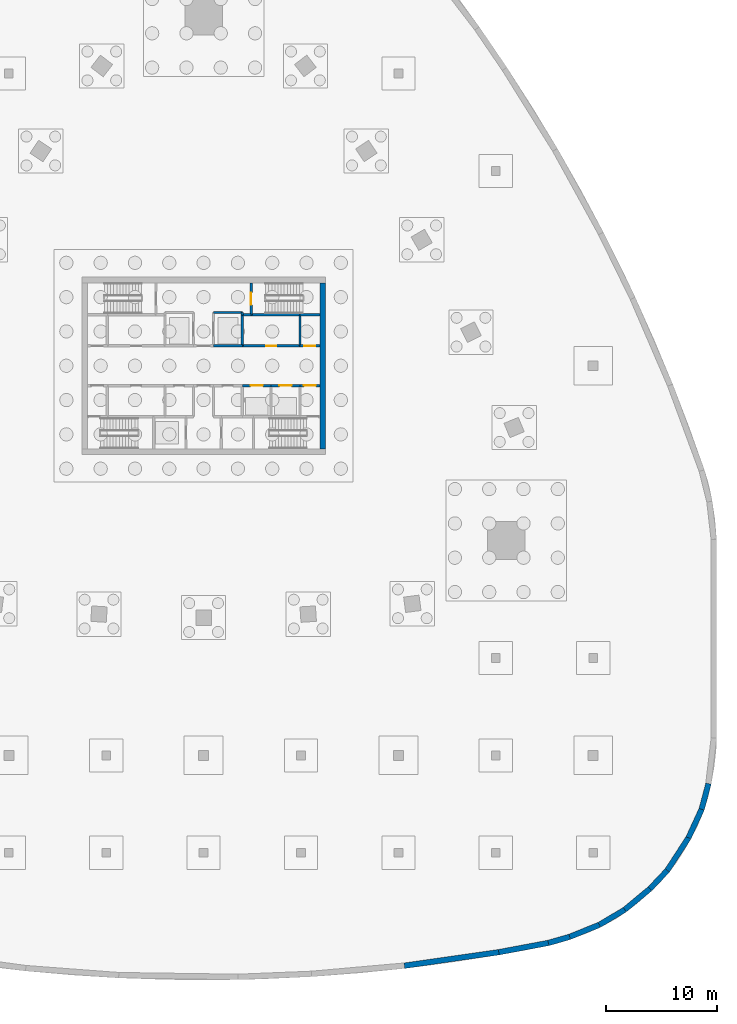
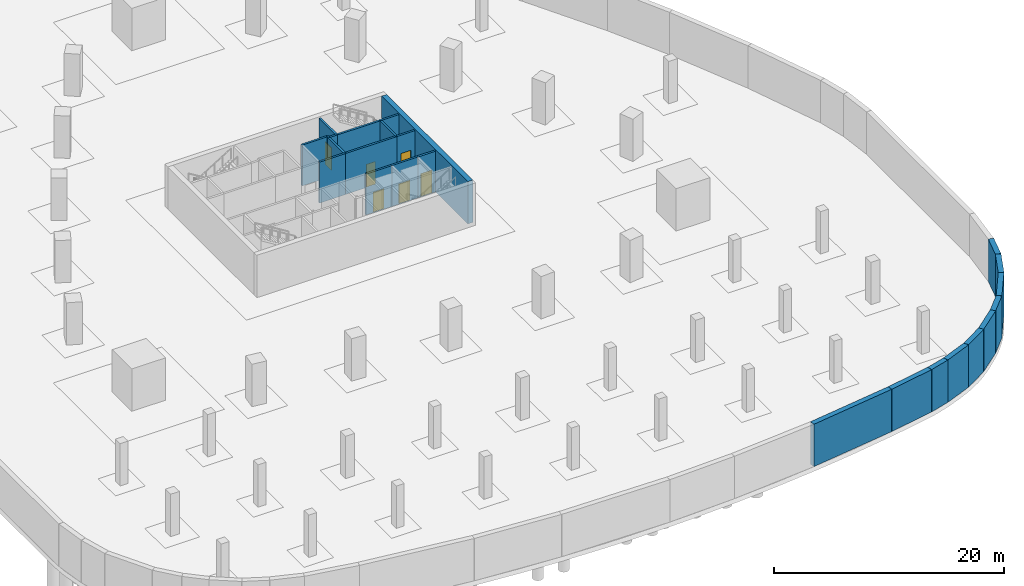
# One storey, part 5 of 8: 25 walls, 6 doors, 6 openings.
"""IFC4 building model written with IfcOpenShell, lengths in metres."""

from ifc_helpers import new_model, si_unit, direction, frame, frame_2d, origin, place, context, subcontext, project, spatial, rectangle, extrude, material, layer, layer_set, type_object, element, fill, save


model = new_model("IFC4")

# Units and contexts
model_context = context("Model", 3, precision=1e-05, world=origin(), true_north=direction((0.0, 1.0)))
body_context = subcontext(model_context, "Body", "Model", "MODEL_VIEW")
ifc_project = project(units=[si_unit("LENGTHUNIT", "METRE"), si_unit("AREAUNIT", "SQUARE_METRE"), si_unit("VOLUMEUNIT", "CUBIC_METRE"), si_unit("PLANEANGLEUNIT", "RADIAN"), si_unit("MASSUNIT", "GRAM", prefix="KILO")], contexts=[model_context])

# Site, building, storey
site_placement = place(None, origin())
site = spatial("IfcSite", under=ifc_project, at=site_placement, CompositionType="ELEMENT")
building_placement = place(site_placement, origin())
building = spatial("IfcBuilding", under=site, at=building_placement, Name="Sierra Prisma Convention Tower", CompositionType="ELEMENT")
storey_placement = place(building_placement, frame((0.0, 0.0, -9.0)))
storey = spatial("IfcBuildingStorey", under=building, at=storey_placement, Name="B2", CompositionType="ELEMENT", Elevation=-9.0)

# Walls
ifc_material_1 = material(Name="Concrete C30/37", Category="concrete")
ifc_layer_1 = layer(ifc_material_1, 0.199951171875)
ifc_layer_set_1 = layer_set([ifc_layer_1], Name="Core wall RC 200 C30/37")
wall_type_1 = type_object("IfcWallType", Name="Core wall RC 200 C30/37", PredefinedType="SOLIDWALL", material=ifc_layer_set_1)
wall_1_placement = place(storey_placement, frame((3.5, 1.800048828125, 0.0), z_axis=(0.0, 0.0, 1.0), x_axis=(-1.0, 0.0, 0.0)))
element("IfcWall", 1, at=wall_1_placement, inside=storey, type_object=wall_type_1, Name="Core wall B2 31", PredefinedType="SOLIDWALL", context=body_context, shape_type="SweptSolid", body=[
    extrude(rectangle(XDim=2.60009765625, YDim=0.199951171875, at=frame_2d((1.300048828125, 0.0))), origin(), (0.0, 0.0, 1.0), 4.35009765625),
])
wall_2_placement = place(storey_placement, frame((3.5, 4.60009765625, 0.0), z_axis=(0.0, 0.0, 1.0), x_axis=(0.0, 1.0, 0.0)))
element("IfcWall", 2, at=wall_2_placement, inside=storey, type_object=wall_type_1, Name="Core wall B2 32", PredefinedType="SOLIDWALL", context=body_context, shape_type="SweptSolid", body=[
    extrude(rectangle(XDim=0.199951171875, YDim=0.199951171875, at=frame_2d((0.10009765625, 0.0))), origin(), (0.0, 0.0, 1.0), 4.35009765625),
])
wall_3_placement = place(storey_placement, frame((3.5, 4.800048828125, 0.0), z_axis=(0.0, 0.0, 1.0), x_axis=(-1.0, 0.0, 0.0)))
element("IfcWall", 3, at=wall_3_placement, inside=storey, type_object=wall_type_1, Name="Core wall B2 33", PredefinedType="SOLIDWALL", context=body_context, shape_type="SweptSolid", body=[
    extrude(rectangle(XDim=2.60009765625, YDim=0.199951171875, at=frame_2d((1.300048828125, 0.0))), origin(), (0.0, 0.0, 1.0), 4.35009765625),
])

# Wall, opening, door
wall_4_placement = place(storey_placement, frame((3.5, -1.800048828125, 0.0), z_axis=(0.0, 0.0, 1.0), x_axis=(1.0, 0.0, 0.0)))
wall_4 = element("IfcWall", 4, at=wall_4_placement, inside=storey, type_object=wall_type_1, Name="Core wall B2 39", PredefinedType="SOLIDWALL", context=body_context, shape_type="SweptSolid", body=[
    extrude(rectangle(XDim=2.60009765625, YDim=0.199951171875, at=frame_2d((1.300048828125, 0.0))), origin(), (0.0, 0.0, 1.0), 4.35009765625),
])
opening_1_placement = place(wall_4_placement, frame((0.75, 0.0, 0.0)))
opening_1 = element("IfcOpeningElement", 5, at=opening_1_placement, cuts=wall_4, Name="Opening B2-D001", PredefinedType="OPENING", context=body_context, shape_type="SweptSolid", body=[
    extrude(rectangle(XDim=1.10009765625, YDim=2.10009765625, at=frame_2d((0.550048828125, 1.050048828125))), frame((0.0, 0.10009765625, 0.0), z_axis=(0.0, -1.0, 0.0), x_axis=(1.0, 0.0, 0.0)), (0.0, 0.0, 1.0), 0.199951171875),
])
ifc_material_2 = material(Name="Steel fire door leaf", Category="steel")
door_type_1 = type_object("IfcDoorType", Name="Door 1100x2100 EI 90 sliding lift landing", OperationType="SLIDING_TO_LEFT", PredefinedType="DOOR", material=ifc_material_2)
door_1_placement = place(opening_1_placement, origin())
door_1 = element("IfcDoor", 6, at=door_1_placement, inside=storey, type_object=door_type_1, Name="Door B2 1", OperationType="SLIDING_TO_LEFT", OverallHeight=2.10009765625, OverallWidth=1.10009765625, PredefinedType="DOOR", context=body_context, shape_type="SweptSolid", body=[
    extrude(rectangle(XDim=1.10009765625, YDim=2.10009765625, at=frame_2d((0.550048828125, 1.050048828125))), frame((0.0, 0.02490234375, 0.0), z_axis=(0.0, -1.0, 0.0), x_axis=(1.0, 0.0, 0.0)), (0.0, 0.0, 1.0), 0.050048828125),
])
fill(opening_1, door_1)

wall_5_placement = place(storey_placement, frame((3.5, 1.800048828125, 0.0), z_axis=(0.0, 0.0, 1.0), x_axis=(1.0, 0.0, 0.0)))
wall_5 = element("IfcWall", 7, at=wall_5_placement, inside=storey, type_object=wall_type_1, Name="Core wall B2 40", PredefinedType="SOLIDWALL", context=body_context, shape_type="SweptSolid", body=[
    extrude(rectangle(XDim=5.199951171875, YDim=0.199951171875, at=frame_2d((2.60009765625, 0.0))), origin(), (0.0, 0.0, 1.0), 4.35009765625),
])
opening_2_placement = place(wall_5_placement, frame((2.14990234375, 0.0, 0.0)))
opening_2 = element("IfcOpeningElement", 8, at=opening_2_placement, cuts=wall_5, Name="Opening B2-D016", PredefinedType="OPENING", context=body_context, shape_type="SweptSolid", body=[
    extrude(rectangle(XDim=0.89990234375, YDim=2.39990234375, at=frame_2d((0.449951171875, 1.199951171875))), frame((0.0, 0.10009765625, 0.0), z_axis=(0.0, -1.0, 0.0), x_axis=(1.0, 0.0, 0.0)), (0.0, 0.0, 1.0), 0.199951171875),
])
ifc_material_3 = material(Name="Steel fire door leaf", Category="steel")
door_type_2 = type_object("IfcDoorType", Name="Door 900x2400 FD30S", OperationType="SINGLE_SWING_LEFT", PredefinedType="DOOR", material=ifc_material_3)
door_2_placement = place(opening_2_placement, origin())
door_2 = element("IfcDoor", 9, at=door_2_placement, inside=storey, type_object=door_type_2, Name="Door B2 16", OperationType="SINGLE_SWING_LEFT", OverallHeight=2.39990234375, OverallWidth=0.89990234375, PredefinedType="DOOR", context=body_context, shape_type="SweptSolid", body=[
    extrude(rectangle(XDim=0.89990234375, YDim=2.39990234375, at=frame_2d((0.449951171875, 1.199951171875))), frame((0.0, 0.02490234375, 0.0), z_axis=(0.0, -1.0, 0.0), x_axis=(1.0, 0.0, 0.0)), (0.0, 0.0, 1.0), 0.050048828125),
])
fill(opening_2, door_2)

# Walls
wall_6_placement = place(storey_placement, frame((3.5, 4.60009765625, 0.0), z_axis=(0.0, 0.0, 1.0), x_axis=(0.0, -1.0, 0.0)))
element("IfcWall", 10, at=wall_6_placement, inside=storey, type_object=wall_type_1, Name="Core wall B2 41", PredefinedType="SOLIDWALL", context=body_context, shape_type="SweptSolid", body=[
    extrude(rectangle(XDim=2.800048828125, YDim=0.199951171875, at=frame_2d((1.39990234375, 0.0))), origin(), (0.0, 0.0, 1.0), 4.35009765625),
])
wall_7_placement = place(storey_placement, frame((4.300048828125, 4.60009765625, 0.0), z_axis=(0.0, 0.0, 1.0), x_axis=(-1.0, 0.0, 0.0)))
element("IfcWall", 11, at=wall_7_placement, inside=storey, type_object=wall_type_1, Name="Core wall B2 42", PredefinedType="SOLIDWALL", context=body_context, shape_type="SweptSolid", body=[
    extrude(rectangle(XDim=0.800048828125, YDim=0.199951171875, at=frame_2d((0.39990234375, 0.0))), origin(), (0.0, 0.0, 1.0), 4.35009765625),
])
wall_8_placement = place(storey_placement, frame((8.699951171875, 4.60009765625, 0.0), z_axis=(0.0, 0.0, 1.0), x_axis=(-1.0, 0.0, 0.0)))
element("IfcWall", 12, at=wall_8_placement, inside=storey, type_object=wall_type_1, Name="Core wall B2 43", PredefinedType="SOLIDWALL", context=body_context, shape_type="SweptSolid", body=[
    extrude(rectangle(XDim=4.39990234375, YDim=0.199951171875, at=frame_2d((2.199951171875, 0.0))), origin(), (0.0, 0.0, 1.0), 4.35009765625),
])

# Wall, opening, door
wall_9_placement = place(storey_placement, frame((4.300048828125, 7.5, 0.0), z_axis=(0.0, 0.0, 1.0), x_axis=(0.0, -1.0, 0.0)))
wall_9 = element("IfcWall", 13, at=wall_9_placement, inside=storey, type_object=wall_type_1, Name="Core wall B2 44", PredefinedType="SOLIDWALL", context=body_context, shape_type="SweptSolid", body=[
    extrude(rectangle(XDim=2.89990234375, YDim=0.199951171875, at=frame_2d((1.449951171875, 0.0))), origin(), (0.0, 0.0, 1.0), 4.35009765625),
])
opening_3_placement = place(wall_9_placement, frame((0.89990234375, 0.0, 0.0)))
opening_3 = element("IfcOpeningElement", 14, at=opening_3_placement, cuts=wall_9, Name="Opening B2-D015", PredefinedType="OPENING", context=body_context, shape_type="SweptSolid", body=[
    extrude(rectangle(XDim=1.10009765625, YDim=2.39990234375, at=frame_2d((0.550048828125, 1.199951171875))), frame((0.0, 0.10009765625, 0.0), z_axis=(0.0, -1.0, 0.0), x_axis=(1.0, 0.0, 0.0)), (0.0, 0.0, 1.0), 0.199951171875),
])
ifc_material_4 = material(Name="Steel fire door leaf", Category="steel")
door_type_3 = type_object("IfcDoorType", Name="Door 1100x2400 FD90S", OperationType="SINGLE_SWING_LEFT", PredefinedType="DOOR", material=ifc_material_4)
door_3_placement = place(opening_3_placement, origin())
door_3 = element("IfcDoor", 15, at=door_3_placement, inside=storey, type_object=door_type_3, Name="Door B2 15", OperationType="SINGLE_SWING_RIGHT", OverallHeight=2.39990234375, OverallWidth=1.10009765625, PredefinedType="DOOR", context=body_context, shape_type="SweptSolid", body=[
    extrude(rectangle(XDim=1.10009765625, YDim=2.39990234375, at=frame_2d((0.550048828125, 1.199951171875))), frame((0.0, 0.02490234375, 0.0), z_axis=(0.0, -1.0, 0.0), x_axis=(1.0, 0.0, 0.0)), (0.0, 0.0, 1.0), 0.050048828125),
])
fill(opening_3, door_3)

wall_10_placement = place(storey_placement, frame((6.10009765625, -1.800048828125, 0.0), z_axis=(0.0, 0.0, 1.0), x_axis=(1.0, 0.0, 0.0)))
wall_10 = element("IfcWall", 16, at=wall_10_placement, inside=storey, type_object=wall_type_1, Name="Core wall B2 49", PredefinedType="SOLIDWALL", context=body_context, shape_type="SweptSolid", body=[
    extrude(rectangle(XDim=2.599853515625, YDim=0.199951171875, at=frame_2d((1.2998046875, 0.0))), origin(), (0.0, 0.0, 1.0), 4.35009765625),
])
opening_4_placement = place(wall_10_placement, frame((0.75, 0.0, 0.0)))
opening_4 = element("IfcOpeningElement", 17, at=opening_4_placement, cuts=wall_10, Name="Opening B2-D002", PredefinedType="OPENING", context=body_context, shape_type="SweptSolid", body=[
    extrude(rectangle(XDim=1.10009765625, YDim=2.10009765625, at=frame_2d((0.550048828125, 1.050048828125))), frame((0.0, 0.10009765625, 0.0), z_axis=(0.0, -1.0, 0.0), x_axis=(1.0, 0.0, 0.0)), (0.0, 0.0, 1.0), 0.199951171875),
])
door_4_placement = place(opening_4_placement, origin())
door_4 = element("IfcDoor", 18, at=door_4_placement, inside=storey, type_object=door_type_1, Name="Door B2 2", OperationType="SLIDING_TO_RIGHT", OverallHeight=2.10009765625, OverallWidth=1.10009765625, PredefinedType="DOOR", context=body_context, shape_type="SweptSolid", body=[
    extrude(rectangle(XDim=1.10009765625, YDim=2.10009765625, at=frame_2d((0.550048828125, 1.050048828125))), frame((0.0, 0.02490234375, 0.0), z_axis=(0.0, -1.0, 0.0), x_axis=(1.0, 0.0, 0.0)), (0.0, 0.0, 1.0), 0.050048828125),
])
fill(opening_4, door_4)

wall_11_placement = place(storey_placement, frame((8.699951171875, -1.800048828125, 0.0), z_axis=(0.0, 0.0, 1.0), x_axis=(1.0, 0.0, 0.0)))
wall_11 = element("IfcWall", 19, at=wall_11_placement, inside=storey, type_object=wall_type_1, Name="Core wall B2 52", PredefinedType="SOLIDWALL", context=body_context, shape_type="SweptSolid", body=[
    extrude(rectangle(XDim=1.800048828125, YDim=0.199951171875, at=frame_2d((0.89990234375, 0.0))), origin(), (0.0, 0.0, 1.0), 4.35009765625),
])
opening_5_placement = place(wall_11_placement, frame((0.35009765625, 0.0, 0.0)))
opening_5 = element("IfcOpeningElement", 20, at=opening_5_placement, cuts=wall_11, Name="Opening B2-D007", PredefinedType="OPENING", context=body_context, shape_type="SweptSolid", body=[
    extrude(rectangle(XDim=1.10009765625, YDim=2.39990234375, at=frame_2d((0.550048828125, 1.199951171875))), frame((0.0, 0.10009765625, 0.0), z_axis=(0.0, -1.0, 0.0), x_axis=(1.0, 0.0, 0.0)), (0.0, 0.0, 1.0), 0.199951171875),
])
door_5_placement = place(opening_5_placement, origin())
door_5 = element("IfcDoor", 21, at=door_5_placement, inside=storey, type_object=door_type_3, Name="Door B2 7", OperationType="SINGLE_SWING_LEFT", OverallHeight=2.39990234375, OverallWidth=1.10009765625, PredefinedType="DOOR", context=body_context, shape_type="SweptSolid", body=[
    extrude(rectangle(XDim=1.10009765625, YDim=2.39990234375, at=frame_2d((0.550048828125, 1.199951171875))), frame((0.0, 0.02490234375, 0.0), z_axis=(0.0, -1.0, 0.0), x_axis=(1.0, 0.0, 0.0)), (0.0, 0.0, 1.0), 0.050048828125),
])
fill(opening_5, door_5)

wall_12_placement = place(storey_placement, frame((10.5, 1.800048828125, 0.0), z_axis=(0.0, 0.0, 1.0), x_axis=(-1.0, 0.0, 0.0)))
wall_12 = element("IfcWall", 22, at=wall_12_placement, inside=storey, type_object=wall_type_1, Name="Core wall B2 53", PredefinedType="SOLIDWALL", context=body_context, shape_type="SweptSolid", body=[
    extrude(rectangle(XDim=1.800048828125, YDim=0.199951171875, at=frame_2d((0.89990234375, 0.0))), origin(), (0.0, 0.0, 1.0), 4.35009765625),
])
opening_6_placement = place(wall_12_placement, frame((0.39990234375, 0.0, 0.0)))
opening_6 = element("IfcOpeningElement", 23, at=opening_6_placement, cuts=wall_12, Name="Opening B2-D011", PredefinedType="OPENING", context=body_context, shape_type="SweptSolid", body=[
    extrude(rectangle(XDim=1.0, YDim=2.39990234375, at=frame_2d((0.5, 1.199951171875))), frame((0.0, 0.10009765625, 0.0), z_axis=(0.0, -1.0, 0.0), x_axis=(1.0, 0.0, 0.0)), (0.0, 0.0, 1.0), 0.199951171875),
])
ifc_material_5 = material(Name="Steel fire door leaf", Category="steel")
door_type_4 = type_object("IfcDoorType", Name="Door 1000x2400 FD60S", OperationType="SINGLE_SWING_LEFT", PredefinedType="DOOR", material=ifc_material_5)
door_6_placement = place(opening_6_placement, origin())
door_6 = element("IfcDoor", 24, at=door_6_placement, inside=storey, type_object=door_type_4, Name="Door B2 11", OperationType="SINGLE_SWING_RIGHT", OverallHeight=2.39990234375, OverallWidth=1.0, PredefinedType="DOOR", context=body_context, shape_type="SweptSolid", body=[
    extrude(rectangle(XDim=1.0, YDim=2.39990234375, at=frame_2d((0.5, 1.199951171875))), frame((0.0, 0.02490234375, 0.0), z_axis=(0.0, -1.0, 0.0), x_axis=(1.0, 0.0, 0.0)), (0.0, 0.0, 1.0), 0.050048828125),
])
fill(opening_6, door_6)

# Walls
wall_13_placement = place(storey_placement, frame((8.699951171875, 1.800048828125, 0.0), z_axis=(0.0, 0.0, 1.0), x_axis=(0.0, 1.0, 0.0)))
element("IfcWall", 25, at=wall_13_placement, inside=storey, type_object=wall_type_1, Name="Core wall B2 54", PredefinedType="SOLIDWALL", context=body_context, shape_type="SweptSolid", body=[
    extrude(rectangle(XDim=2.800048828125, YDim=0.199951171875, at=frame_2d((1.39990234375, 0.0))), origin(), (0.0, 0.0, 1.0), 4.35009765625),
])
wall_14_placement = place(storey_placement, frame((10.5, 4.60009765625, 0.0), z_axis=(0.0, 0.0, 1.0), x_axis=(-1.0, 0.0, 0.0)))
element("IfcWall", 26, at=wall_14_placement, inside=storey, type_object=wall_type_1, Name="Core wall B2 55", PredefinedType="SOLIDWALL", context=body_context, shape_type="SweptSolid", body=[
    extrude(rectangle(XDim=1.800048828125, YDim=0.199951171875, at=frame_2d((0.89990234375, 0.0))), origin(), (0.0, 0.0, 1.0), 4.35009765625),
])
ifc_material_6 = material(Name="Concrete C70/85", Category="concrete")
ifc_layer_2 = layer(ifc_material_6, 0.5)
ifc_layer_set_2 = layer_set([ifc_layer_2], Name="Core wall RC 500 C70/85")
wall_type_2 = type_object("IfcWallType", Name="Core wall RC 500 C70/85", PredefinedType="SHEAR", material=ifc_layer_set_2)
wall_15_placement = place(storey_placement, frame((10.75, -7.5, 0.0), z_axis=(0.0, 0.0, 1.0), x_axis=(0.0, 1.0, 0.0)))
element("IfcWall", 27, at=wall_15_placement, inside=storey, type_object=wall_type_2, Name="Core wall E B2", PredefinedType="SHEAR", context=body_context, shape_type="SweptSolid", body=[
    extrude(rectangle(XDim=15.0, YDim=0.5, at=frame_2d((7.5, 0.0))), origin(), (0.0, 0.0, 1.0), 4.5),
])
ifc_material_7 = material(Name="Concrete C40/50", Category="concrete")
ifc_layer_3 = layer(ifc_material_7, 0.5)
ifc_layer_set_3 = layer_set([ifc_layer_3], Name="Retaining wall 500")
wall_type_3 = type_object("IfcWallType", Name="Retaining wall 500", PredefinedType="SOLIDWALL", material=ifc_layer_set_3)
wall_16_placement = place(storey_placement, frame((45.6171875, -37.752197265625, 0.0), z_axis=(0.0, 0.0, 1.0), x_axis=(-0.256984247346, -0.96641559208, 0.0)))
element("IfcWall", 28, at=wall_16_placement, inside=storey, type_object=wall_type_3, Name="Retaining wall B2 44", PredefinedType="SOLIDWALL", context=body_context, shape_type="SweptSolid", body=[
    extrude(rectangle(XDim=2.39697265625, YDim=0.5, at=frame_2d((1.198486328125, 0.0))), origin(), (0.0, 0.0, 1.0), 4.5),
])
wall_17_placement = place(storey_placement, frame((45.001220703125, -40.068603515625, 0.0), z_axis=(0.0, 0.0, 1.0), x_axis=(-0.419248732982, -0.907871411541, 0.0)))
element("IfcWall", 29, at=wall_17_placement, inside=storey, type_object=wall_type_3, Name="Retaining wall B2 45", PredefinedType="SOLIDWALL", context=body_context, shape_type="SweptSolid", body=[
    extrude(rectangle(XDim=2.843505859375, YDim=0.5, at=frame_2d((1.421875, 0.0))), origin(), (0.0, 0.0, 1.0), 4.5),
])
wall_18_placement = place(storey_placement, frame((43.80908203125, -42.650146484375, 0.0), z_axis=(0.0, 0.0, 1.0), x_axis=(-0.544416054245, -0.838815331214, 0.0)))
element("IfcWall", 30, at=wall_18_placement, inside=storey, type_object=wall_type_3, Name="Retaining wall B2 46", PredefinedType="SOLIDWALL", context=body_context, shape_type="SweptSolid", body=[
    extrude(rectangle(XDim=3.509521484375, YDim=0.5, at=frame_2d((1.7548828125, 0.0))), origin(), (0.0, 0.0, 1.0), 4.5),
])
wall_19_placement = place(storey_placement, frame((41.8984375, -45.593994140625, 0.0), z_axis=(0.0, 0.0, 1.0), x_axis=(-0.686862366834, -0.726787512982, 0.0)))
element("IfcWall", 31, at=wall_19_placement, inside=storey, type_object=wall_type_3, Name="Retaining wall B2 47", PredefinedType="SOLIDWALL", context=body_context, shape_type="SweptSolid", body=[
    extrude(rectangle(XDim=2.28076171875, YDim=0.5, at=frame_2d((1.140380859375, 0.0))), origin(), (0.0, 0.0, 1.0), 4.5),
])
wall_20_placement = place(storey_placement, frame((40.331787109375, -47.251708984375, 0.0), z_axis=(0.0, 0.0, 1.0), x_axis=(-0.769071379737, -0.639162900105, 0.0)))
element("IfcWall", 32, at=wall_20_placement, inside=storey, type_object=wall_type_3, Name="Retaining wall B2 48", PredefinedType="SOLIDWALL", context=body_context, shape_type="SweptSolid", body=[
    extrude(rectangle(XDim=2.963623046875, YDim=0.5, at=frame_2d((1.48193359375, 0.0))), origin(), (0.0, 0.0, 1.0), 4.5),
])
wall_21_placement = place(storey_placement, frame((38.052490234375, -49.14599609375, 0.0), z_axis=(0.0, 0.0, 1.0), x_axis=(-0.859182809337, -0.511668740632, 0.0)))
element("IfcWall", 33, at=wall_21_placement, inside=storey, type_object=wall_type_3, Name="Retaining wall B2 49", PredefinedType="SOLIDWALL", context=body_context, shape_type="SweptSolid", body=[
    extrude(rectangle(XDim=2.669677734375, YDim=0.5, at=frame_2d((1.3349609375, 0.0))), origin(), (0.0, 0.0, 1.0), 4.5),
])
wall_22_placement = place(storey_placement, frame((35.7587890625, -50.511962890625, 0.0), z_axis=(0.0, 0.0, 1.0), x_axis=(-0.927327867506, -0.374249951433, 0.0)))
element("IfcWall", 34, at=wall_22_placement, inside=storey, type_object=wall_type_3, Name="Retaining wall B2 50", PredefinedType="SOLIDWALL", context=body_context, shape_type="SweptSolid", body=[
    extrude(rectangle(XDim=2.8984375, YDim=0.5, at=frame_2d((1.44921875, 0.0))), origin(), (0.0, 0.0, 1.0), 4.5),
])
wall_23_placement = place(storey_placement, frame((33.071044921875, -51.5966796875, 0.0), z_axis=(0.0, 0.0, 1.0), x_axis=(-0.961371932125, -0.275252626006, 0.0)))
element("IfcWall", 35, at=wall_23_placement, inside=storey, type_object=wall_type_3, Name="Retaining wall B2 51", PredefinedType="SOLIDWALL", context=body_context, shape_type="SweptSolid", body=[
    extrude(rectangle(XDim=2.001953125, YDim=0.5, at=frame_2d((1.0009765625, 0.0))), origin(), (0.0, 0.0, 1.0), 4.5),
])
wall_24_placement = place(storey_placement, frame((31.146484375, -52.147705078125, 0.0), z_axis=(0.0, 0.0, 1.0), x_axis=(-0.982861268325, -0.184346758111, 0.0)))
element("IfcWall", 36, at=wall_24_placement, inside=storey, type_object=wall_type_3, Name="Retaining wall B2 52", PredefinedType="SOLIDWALL", context=body_context, shape_type="SweptSolid", body=[
    extrude(rectangle(XDim=4.55712890625, YDim=0.5, at=frame_2d((2.278564453125, 0.0))), origin(), (0.0, 0.0, 1.0), 4.5),
])
wall_25_placement = place(storey_placement, frame((26.66748046875, -52.98779296875, 0.0), z_axis=(0.0, 0.0, 1.0), x_axis=(-0.989933049024, -0.141536420935, 0.0)))
element("IfcWall", 37, at=wall_25_placement, inside=storey, type_object=wall_type_3, Name="Retaining wall B2 53", PredefinedType="SOLIDWALL", context=body_context, shape_type="SweptSolid", body=[
    extrude(rectangle(XDim=8.6142578125, YDim=0.5, at=frame_2d((4.30712890625, 0.0))), origin(), (0.0, 0.0, 1.0), 4.5),
])

save(model, "model.ifc")
